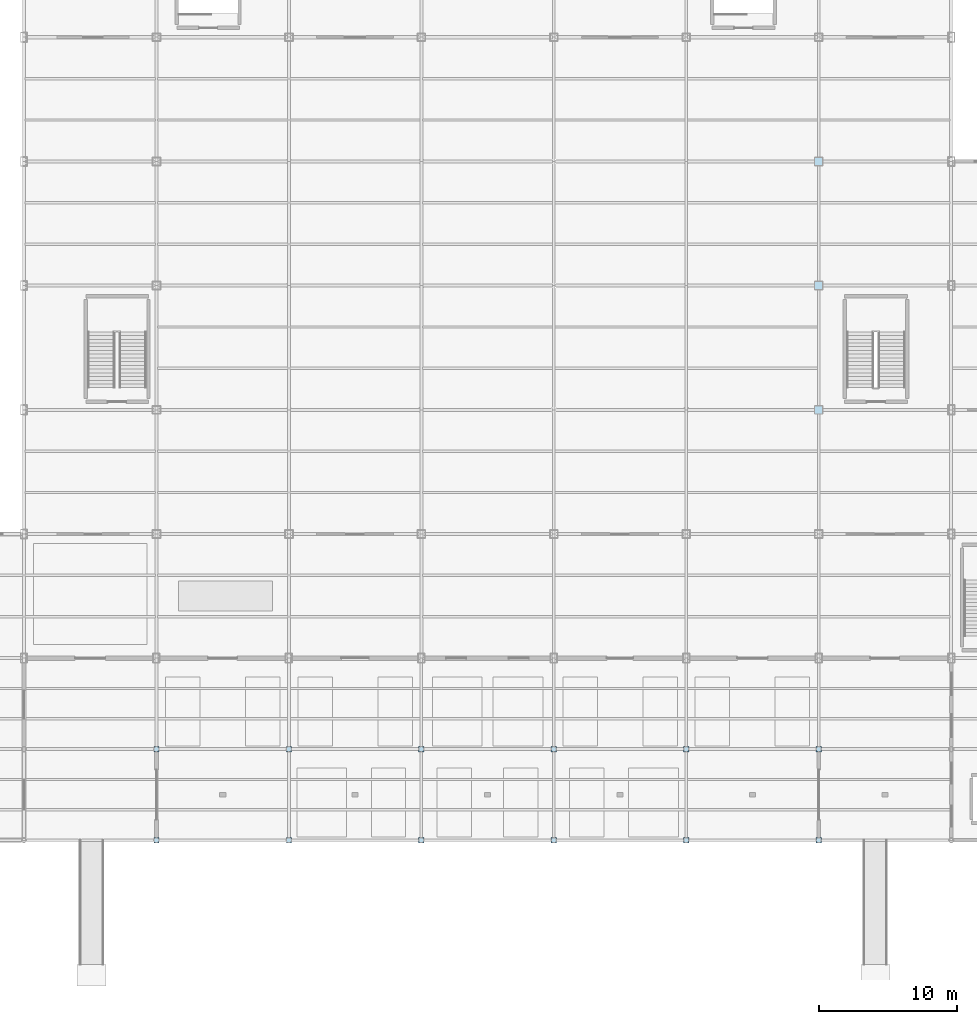
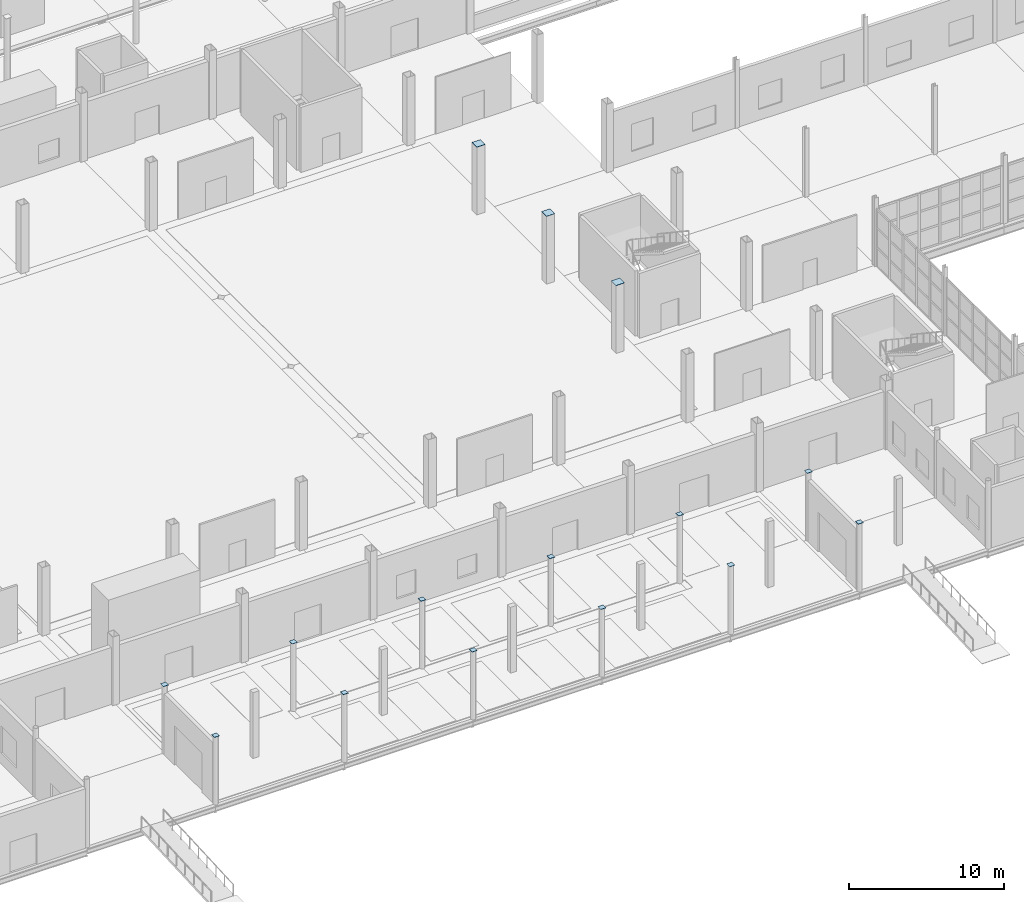
# One storey, part 58 of 85: 15 plates.
"""IFC4 building model written with IfcOpenShell, lengths in metres."""

from ifc_helpers import new_model, si_unit, direction, frame, origin, origin_2d, place, context, subcontext, project, spatial, rectangle, extrude, material, layer, layer_set, type_object, element, save


model = new_model("IFC4")

# Units and contexts
model_context = context("Model", 3, precision=1e-05, world=origin(), true_north=direction((0.0, 1.0)))
body_context = subcontext(model_context, "Body", "Model", "MODEL_VIEW")
ifc_project = project(units=[si_unit("LENGTHUNIT", "METRE"), si_unit("AREAUNIT", "SQUARE_METRE"), si_unit("VOLUMEUNIT", "CUBIC_METRE"), si_unit("PLANEANGLEUNIT", "RADIAN"), si_unit("MASSUNIT", "GRAM", prefix="KILO")], contexts=[model_context])

# Site, building, storey
site_placement = place(None, origin())
site = spatial("IfcSite", under=ifc_project, at=site_placement, CompositionType="ELEMENT")
building_placement = place(site_placement, origin())
building = spatial("IfcBuilding", under=site, at=building_placement, Name="Zarnetskaya Central Station", CompositionType="ELEMENT")
storey_placement = place(building_placement, origin())
storey = spatial("IfcBuildingStorey", under=building, at=storey_placement, Name="L00", CompositionType="ELEMENT", Elevation=0.0)

# Plates
ifc_material = material(Name="Steel S355", Category="steel")
ifc_layer_1 = layer(ifc_material, 0.02392578125, Name="Steel S355", Category="steel")
ifc_layer_set_1 = layer_set([ifc_layer_1], Name="Steel S355")
plate_type_1 = type_object("IfcPlateType", Name="PL-COL-CAP-EXT", PredefinedType="USERDEFINED", material=ifc_layer_set_1)
for number, where, z_axis, x_axis, name in (
    (1, (67.199951171875, 0.0, 5.3759765625), (0.0, 0.0, 1.0), (1.0, 0.0, 0.0), "Hollow column sealed end-cap plate 46"),
    (2, (67.199951171875, 6.60009765625, 5.3759765625), (0.0, 0.0, 1.0), (1.0, 0.0, 0.0), "Hollow column sealed end-cap plate 47"),
    (3, (76.800048828125, 0.0, 5.3759765625), (0.0, 0.0, 1.0), (1.0, 0.0, 0.0), "Hollow column sealed end-cap plate 58"),
    (4, (76.800048828125, 6.60009765625, 5.3759765625), (0.0, 0.0, 1.0), (1.0, 0.0, 0.0), "Hollow column sealed end-cap plate 59"),
    (5, (86.39990234375, 0.0, 5.3759765625), (0.0, 0.0, 1.0), (1.0, 0.0, 0.0), "Hollow column sealed end-cap plate 67"),
    (6, (86.39990234375, 6.60009765625, 5.3759765625), (0.0, 0.0, 1.0), (1.0, 0.0, 0.0), "Hollow column sealed end-cap plate 68"),
    (7, (96.0, 0.0, 5.3759765625), (0.0, 0.0, 1.0), (1.0, 0.0, 0.0), "Hollow column sealed end-cap plate 76"),
    (8, (96.0, 6.60009765625, 5.3759765625), (0.0, 0.0, 1.0), (1.0, 0.0, 0.0), "Hollow column sealed end-cap plate 77"),
    (9, (105.60009765625, 0.0, 5.3759765625), (0.0, 0.0, 1.0), (1.0, 0.0, 0.0), "Hollow column sealed end-cap plate 85"),
    (10, (105.60009765625, 6.60009765625, 5.3759765625), (0.0, 0.0, 1.0), (1.0, 0.0, 0.0), "Hollow column sealed end-cap plate 86"),
    (11, (115.199951171875, 0.0, 5.3759765625), (0.0, 0.0, 1.0), (1.0, 0.0, 0.0), "Hollow column sealed end-cap plate 94"),
    (12, (115.199951171875, 6.60009765625, 5.3759765625), (0.0, 0.0, 1.0), (1.0, 0.0, 0.0), "Hollow column sealed end-cap plate 95"),
):
    element("IfcPlate", number, at=place(storey_placement, frame(where, z_axis=z_axis, x_axis=x_axis)), inside=storey, type_object=plate_type_1, Name=name, ObjectType="END CAP PLATE", PredefinedType="USERDEFINED", context=body_context, shape_type="SweptSolid", body=[
        extrude(rectangle(XDim=0.37548828125, YDim=0.37548828125, at=origin_2d()), origin(), (0.0, 0.0, 1.0), 0.02392578125),
    ])
ifc_layer_2 = layer(ifc_material, 0.02392578125, Name="Steel S355", Category="steel")
ifc_layer_set_2 = layer_set([ifc_layer_2], Name="Steel S355")
plate_type_2 = type_object("IfcPlateType", Name="PL-COL-CAP-INT", PredefinedType="USERDEFINED", material=ifc_layer_set_2)
for number, where, z_axis, x_axis, name in (
    (13, (115.199951171875, 31.199951171875, 5.3759765625), (0.0, 0.0, 1.0), (1.0, 0.0, 0.0), "Hollow column sealed end-cap plate 98"),
    (14, (115.199951171875, 40.199951171875, 5.3759765625), (0.0, 0.0, 1.0), (1.0, 0.0, 0.0), "Hollow column sealed end-cap plate 99"),
    (15, (115.199951171875, 49.199951171875, 5.3759765625), (0.0, 0.0, 1.0), (1.0, 0.0, 0.0), "Hollow column sealed end-cap plate 100"),
):
    element("IfcPlate", number, at=place(storey_placement, frame(where, z_axis=z_axis, x_axis=x_axis)), inside=storey, type_object=plate_type_2, Name=name, ObjectType="END CAP PLATE", PredefinedType="USERDEFINED", context=body_context, shape_type="SweptSolid", body=[
        extrude(rectangle(XDim=0.6201171875, YDim=0.6201171875, at=origin_2d()), origin(), (0.0, 0.0, 1.0), 0.02392578125),
    ])

save(model, "model.ifc")
